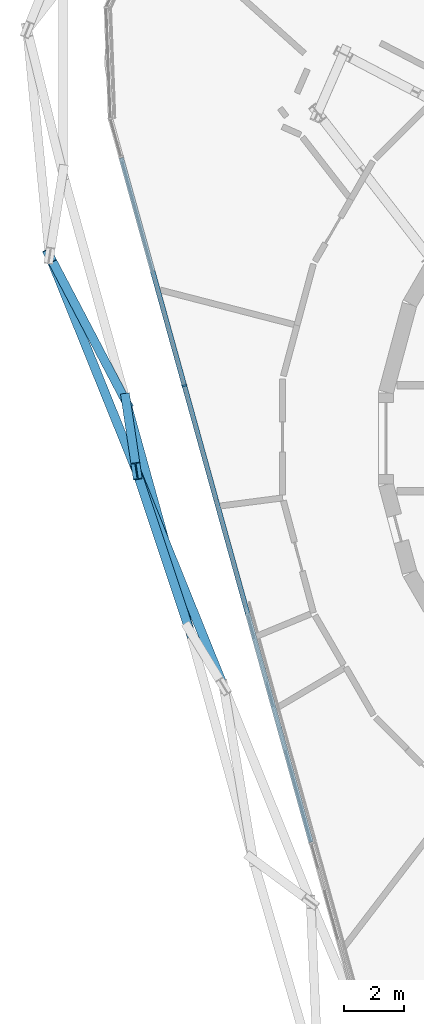
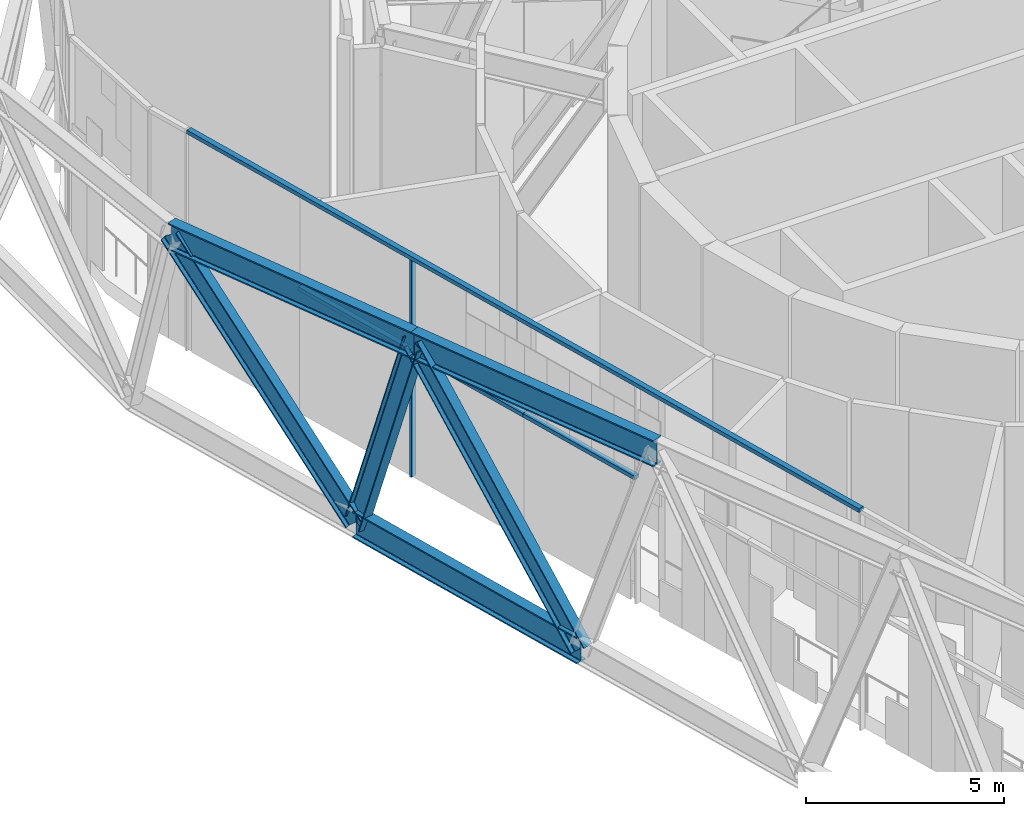
# One storey, part 3 of 23: 11 members, 1 element without a shape of its own.
"""IFC4 building model written with IfcOpenShell, lengths in metres."""

from ifc_helpers import new_model, si_unit, direction, frame, origin, origin_2d, place, context, subcontext, project, spatial, rectangle, i_section, extrude, material, layer, layer_set, material_profile, profile_set, type_object, element, aggregate, save


model = new_model("IFC4")

# Units and contexts
model_context = context("Model", 3, precision=1e-05, world=origin(), true_north=direction((0.0, 1.0)))
body_context = subcontext(model_context, "Body", "Model", "MODEL_VIEW")
ifc_project = project(units=[si_unit("LENGTHUNIT", "METRE"), si_unit("AREAUNIT", "SQUARE_METRE"), si_unit("VOLUMEUNIT", "CUBIC_METRE"), si_unit("PLANEANGLEUNIT", "RADIAN"), si_unit("MASSUNIT", "GRAM", prefix="KILO")], contexts=[model_context])

# Site, building, storey
site_placement = place(None, origin())
site = spatial("IfcSite", under=ifc_project, at=site_placement, CompositionType="ELEMENT")
building_placement = place(site_placement, origin())
building = spatial("IfcBuilding", under=site, at=building_placement, Name="Spindle Arch Residences", CompositionType="ELEMENT")
storey_placement = place(building_placement, frame((0.0, 0.0, 326.199951171875)))
storey = spatial("IfcBuildingStorey", under=building, at=storey_placement, Name="L84", CompositionType="ELEMENT", Elevation=326.199951171875)

# Members
ifc_material_1 = material(Name="Steel S460ML, intumescent coating R 240", Category="steel")
ifc_material_profile_1 = material_profile(ifc_material_1, i_section(OverallWidth=0.302978515625, OverallDepth=0.81396484375, WebThickness=0.02099609375, FlangeThickness=0.0400390625, FilletRadius=0.030029296875, at=origin_2d()), Name="HEM 800")
ifc_profile_set_1 = profile_set([ifc_material_profile_1], Name="Steel S460ML, intumescent coating R 240")
member_type_1 = type_object("IfcMemberType", Name="Belt truss chord HEM 800", PredefinedType="CHORD", material=ifc_profile_set_1)
member_1_placement = place(storey_placement, frame((-20.3310546875, 1.223876953125, -0.85693359375), z_axis=(0.267215385025, -0.963636828897, 0.0), x_axis=(0.963636828897, 0.267215385025, 0.0)))
element("IfcMember", 1, at=member_1_placement, inside=storey, type_object=member_type_1, Name="Belt truss bottom chord L84.13", PredefinedType="CHORD", context=body_context, shape_type="SweptSolid", body=[
    extrude(i_section(OverallWidth=0.302978515625, OverallDepth=0.81396484375, WebThickness=0.02099609375, FlangeThickness=0.0400390625, FilletRadius=0.030029296875, at=origin_2d()), origin(), (0.0, 0.0, 1.0), 7.93505859375),
])
member_2_placement = place(storey_placement, frame((-22.892578125, 6.105712890625, 5.943115234375), z_axis=(0.374591959595, -0.92718976688, 0.0), x_axis=(0.92718976688, 0.374591959595, 0.0)))
element("IfcMember", 2, at=member_2_placement, inside=storey, type_object=member_type_1, Name="Belt truss top chord L84.12", PredefinedType="CHORD", context=body_context, shape_type="SweptSolid", body=[
    extrude(i_section(OverallWidth=0.302978515625, OverallDepth=0.81396484375, WebThickness=0.02099609375, FlangeThickness=0.0400390625, FilletRadius=0.030029296875, at=origin_2d()), origin(), (0.0, 0.0, 1.0), 7.765625),
])
member_3_placement = place(storey_placement, frame((-19.983642578125, -1.094482421875, 5.943115234375), z_axis=(0.374602879104, -0.927185355238, 0.0), x_axis=(0.927185355238, 0.374602879104, 0.0)))
element("IfcMember", 3, at=member_3_placement, inside=storey, type_object=member_type_1, Name="Belt truss top chord L84.13", PredefinedType="CHORD", context=body_context, shape_type="SweptSolid", body=[
    extrude(i_section(OverallWidth=0.302978515625, OverallDepth=0.81396484375, WebThickness=0.02099609375, FlangeThickness=0.0400390625, FilletRadius=0.030029296875, at=origin_2d()), origin(), (0.0, 0.0, 1.0), 7.765380859375),
])
ifc_material_2 = material(Name="Steel S460ML, intumescent coating R 240", Category="steel")
ifc_material_profile_2 = material_profile(ifc_material_2, i_section(OverallWidth=0.300048828125, OverallDepth=0.60009765625, WebThickness=0.015380859375, FlangeThickness=0.030029296875, FilletRadius=0.027099609375, at=origin_2d()), Name="HEB 600")
ifc_profile_set_2 = profile_set([ifc_material_profile_2], Name="Steel S460ML, intumescent coating R 240")
member_type_2 = type_object("IfcMemberType", Name="Belt truss diagonal HEB 600", PredefinedType="BRACE", material=ifc_profile_set_2)
member_4_placement = place(storey_placement, frame((-20.3310546875, 1.223876953125, -0.85693359375), z_axis=(-0.292608195432, 0.557662359499, 0.776783841724), x_axis=(-0.885505410815, -0.464629064327, 0.0)))
element("IfcMember", 4, at=member_4_placement, inside=storey, type_object=member_type_2, Name="Belt truss diagonal L84.12.13", PredefinedType="BRACE", context=body_context, shape_type="SweptSolid", body=[
    extrude(i_section(OverallWidth=0.300048828125, OverallDepth=0.60009765625, WebThickness=0.015380859375, FlangeThickness=0.030029296875, FilletRadius=0.027099609375, at=origin_2d()), origin(), (0.0, 0.0, 1.0), 8.754150390625),
])
member_5_placement = place(storey_placement, frame((-20.3310546875, 1.223876953125, -0.85693359375), z_axis=(0.048300085658, -0.32231736712, 0.945398654843), x_axis=(0.988957731712, 0.148197857227, 0.0)))
element("IfcMember", 5, at=member_5_placement, inside=storey, type_object=member_type_2, Name="Belt truss diagonal L84.13.13", PredefinedType="BRACE", context=body_context, shape_type="SweptSolid", body=[
    extrude(i_section(OverallWidth=0.300048828125, OverallDepth=0.60009765625, WebThickness=0.015380859375, FlangeThickness=0.030029296875, FilletRadius=0.027099609375, at=origin_2d()), origin(), (0.0, 0.0, 1.0), 7.19287109375),
])
member_6_placement = place(storey_placement, frame((-18.210693359375, -6.422607421875, -0.85693359375), z_axis=(-0.201039811777, 0.604171420024, 0.771077096863), x_axis=(-0.948848382279, -0.31573208175, 0.0)))
element("IfcMember", 6, at=member_6_placement, inside=storey, type_object=member_type_2, Name="Belt truss diagonal L84.13.14", PredefinedType="BRACE", context=body_context, shape_type="SweptSolid", body=[
    extrude(i_section(OverallWidth=0.300048828125, OverallDepth=0.60009765625, WebThickness=0.015380859375, FlangeThickness=0.030029296875, FilletRadius=0.027099609375, at=origin_2d()), origin(), (0.0, 0.0, 1.0), 8.81884765625),
])

# Curtain wall, members
ifc_material_3 = material(Name="Aluminium bronze unitised frame with tinted glass", Category="aluminium")
ifc_layer = layer(ifc_material_3, 0.159912109375)
ifc_layer_set = layer_set([ifc_layer], Name="CW-E double-height winter garden wall")
curtain_wall_type = type_object("IfcCurtainWallType", Name="CW-E double-height winter garden wall", PredefinedType="NOTDEFINED", material=ifc_layer_set)
curtain_wall_placement = place(storey_placement, origin())
curtain_wall = element("IfcCurtainWall", 7, at=curtain_wall_placement, inside=storey, type_object=curtain_wall_type, Name="CW-E L84 run 4", PredefinedType="NOTDEFINED")
ifc_material_4 = material(Name="Aluminium bronze anodised mullion", Category="aluminium")
ifc_material_profile_3 = material_profile(ifc_material_4, rectangle(XDim=0.159912109375, YDim=0.06005859375, at=origin_2d()), Name="MU 60x160")
ifc_profile_set_3 = profile_set([ifc_material_profile_3], Name="Aluminium bronze anodised mullion")
member_type_3 = type_object("IfcMemberType", Name="Bronze mullion 60x160", PredefinedType="MULLION", material=ifc_profile_set_3)
member_7_placement = place(storey_placement, frame((-18.384521484375, 1.763671875, -0.449951171875), z_axis=(0.0, 0.0, 1.0), x_axis=(0.963630453209, 0.267238376078, 0.0)))
member_7 = element("IfcMember", 8, at=member_7_placement, type_object=member_type_3, Name="CW-E mullion 12", PredefinedType="MULLION", context=body_context, shape_type="SweptSolid", body=[
    extrude(rectangle(XDim=0.159912109375, YDim=0.06005859375, at=origin_2d()), origin(), (0.0, 0.0, 1.0), 6.679931640625),
])
ifc_material_5 = material(Name="Aluminium bronze anodised transom", Category="aluminium")
ifc_material_profile_4 = material_profile(ifc_material_5, rectangle(XDim=0.159912109375, YDim=0.1201171875, at=origin_2d()), Name="TR 120x160")
ifc_profile_set_4 = profile_set([ifc_material_profile_4], Name="Aluminium bronze anodised transom")
member_type_4 = type_object("IfcMemberType", Name="Bronze transom 120x160", PredefinedType="USERDEFINED", material=ifc_profile_set_4)
member_8_placement = place(storey_placement, frame((-20.4970703125, 9.38134765625, 6.2900390625), z_axis=(0.267238704816, -0.963630362041, 0.0), x_axis=(0.963630362041, 0.267238704816, 0.0)))
member_8 = element("IfcMember", 9, at=member_8_placement, type_object=member_type_4, Name="CW-E transom 00", ObjectType="TRANSOM", PredefinedType="USERDEFINED", context=body_context, shape_type="SweptSolid", body=[
    extrude(rectangle(XDim=0.159912109375, YDim=0.1201171875, at=origin_2d()), origin(), (0.0, 0.0, 1.0), 23.745361328125),
])
member_9_placement = place(storey_placement, frame((-19.44482421875, 5.5869140625, 3.400146484375), z_axis=(0.26722812423, -0.963633296239, 0.0), x_axis=(0.963633296239, 0.26722812423, 0.0)))
member_9 = element("IfcMember", 10, at=member_9_placement, type_object=member_type_4, Name="CW-E transom 11Bm", ObjectType="TRANSOM", PredefinedType="USERDEFINED", context=body_context, shape_type="SweptSolid", body=[
    extrude(rectangle(XDim=0.159912109375, YDim=0.1201171875, at=origin_2d()), origin(), (0.0, 0.0, 1.0), 3.937744140625),
])
member_10_placement = place(storey_placement, frame((-18.37646484375, 1.73486328125, 3.400146484375), z_axis=(0.26722812423, -0.963633296239, 0.0), x_axis=(0.963633296239, 0.26722812423, 0.0)))
member_10 = element("IfcMember", 11, at=member_10_placement, type_object=member_type_4, Name="CW-E transom 12Am", ObjectType="TRANSOM", PredefinedType="USERDEFINED", context=body_context, shape_type="SweptSolid", body=[
    extrude(rectangle(XDim=0.159912109375, YDim=0.1201171875, at=origin_2d()), origin(), (0.0, 0.0, 1.0), 3.937744140625),
])
member_11_placement = place(storey_placement, frame((-17.32421875, -2.0595703125, 3.400146484375), z_axis=(0.26722812423, -0.963633296239, 0.0), x_axis=(0.963633296239, 0.26722812423, 0.0)))
member_11 = element("IfcMember", 12, at=member_11_placement, type_object=member_type_4, Name="CW-E transom 12Bm", ObjectType="TRANSOM", PredefinedType="USERDEFINED", context=body_context, shape_type="SweptSolid", body=[
    extrude(rectangle(XDim=0.159912109375, YDim=0.1201171875, at=origin_2d()), origin(), (0.0, 0.0, 1.0), 3.937744140625),
])
aggregate(curtain_wall, [member_8, member_9, member_7, member_10, member_11])

save(model, "model.ifc")
